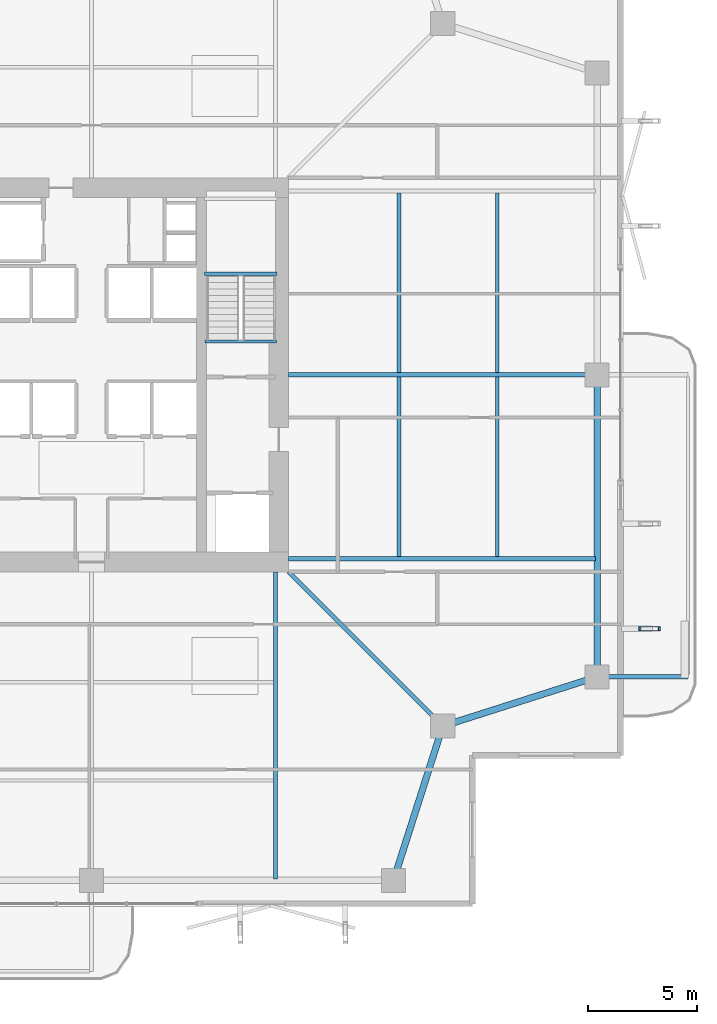
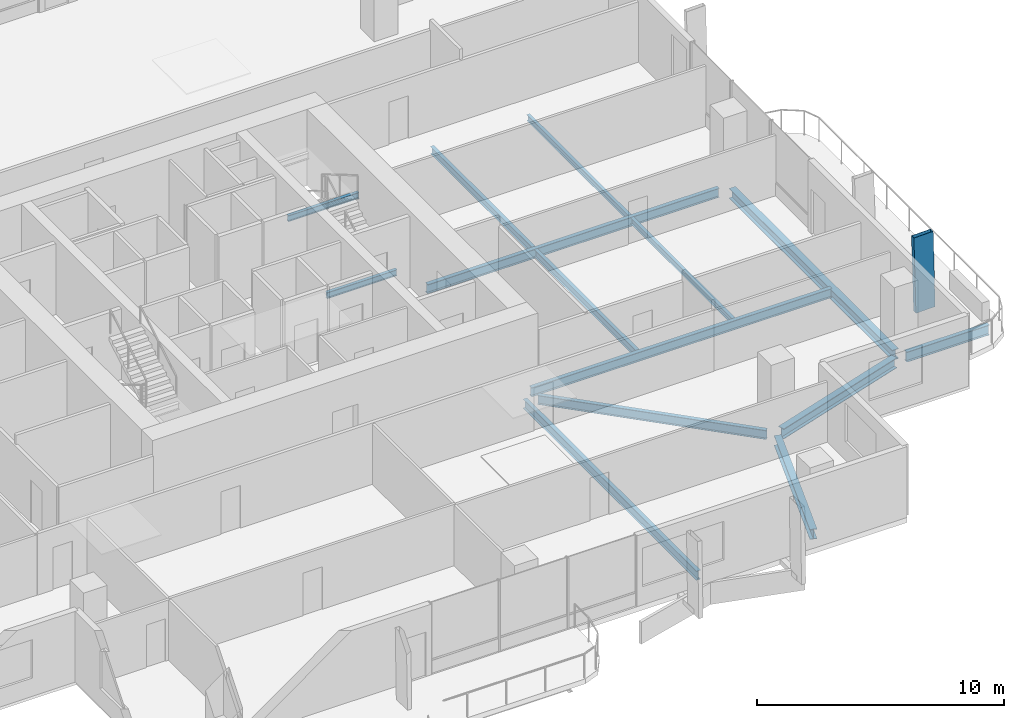
# One storey, part 9 of 25: 14 beams, 1 member.
"""IFC4 building model written with IfcOpenShell, lengths in metres."""

import ifcopenshell
import ifcopenshell.guid

model = None  # the IFC model being written
_history = None  # IfcOwnerHistory: only IFC2X3 demands one
_inside = {}  # id of a spatial element -> (the spatial element, [elements in it])
_under = {}  # id of a project, library or spatial element -> (it, [spatial elements below it])
_declared = {}  # id of a project -> (the project, [libraries it declares])
_typed = {}  # id of a type object -> (the type object, [elements of that type])
_made_of = {}  # id of a material, layer set ... -> (it, [elements and type objects made of it])


def new_model(schema):
    """Start an empty IFC model of exactly this schema.

    Asked for "IFC4X3", IfcOpenShell would pick the latest addendum, in which some entities
    have other attributes; the version numbers below select the first issue.
    IFC2X3 requires an IfcOwnerHistory on every rooted entity: one is made here for all.
    """
    global model, _history
    if schema == "IFC4X3":
        model = ifcopenshell.file(schema_version=(4, 3, 0, 0))
    else:
        model = ifcopenshell.file(schema=schema)
    _inside.clear()
    _under.clear()
    _declared.clear()
    _typed.clear()
    _made_of.clear()
    _history = None
    if model.schema == "IFC2X3":
        org = make("IfcOrganization", Name="unknown")
        user = make(
            "IfcPersonAndOrganization",
            ThePerson=make("IfcPerson", FamilyName="unknown"),
            TheOrganization=org,
        )
        app = make(
            "IfcApplication",
            ApplicationDeveloper=org,
            Version="unknown",
            ApplicationFullName="unknown",
            ApplicationIdentifier="unknown",
        )
        _history = make(
            "IfcOwnerHistory",
            OwningUser=user,
            OwningApplication=app,
            ChangeAction="ADDED",
            CreationDate=0,
        )
    return model


def make(cls, **values):
    """One entity of the class cls with the attributes given. An attribute that is None is left unset."""
    return model.create_entity(
        cls, **{name: value for name, value in values.items() if value is not None}
    )


def rooted(cls, **values):
    """An entity with a GlobalId (a new one), such as an element, a storey or a relation."""
    return make(cls, GlobalId=ifcopenshell.guid.new(), OwnerHistory=_history, **values)


def si_unit(unit_type, name, prefix=None):
    """IfcSIUnit, for example si_unit("LENGTHUNIT", "METRE", prefix="MILLI")."""
    return make("IfcSIUnit", UnitType=unit_type, Prefix=prefix, Name=name)


def assignment(units):
    """IfcUnitAssignment: the units of a project."""
    return None if units is None else make("IfcUnitAssignment", Units=units)


def point(xyz):
    """IfcCartesianPoint."""
    return None if xyz is None else make("IfcCartesianPoint", Coordinates=xyz)


def direction(xyz):
    """IfcDirection."""
    return None if xyz is None else make("IfcDirection", DirectionRatios=xyz)


def frame(location, z_axis=None, x_axis=None):
    """IfcAxis2Placement3D, a coordinate frame: its origin and axes. An axis left out is left unset."""
    return make(
        "IfcAxis2Placement3D",
        Location=point(location),
        Axis=direction(z_axis),
        RefDirection=direction(x_axis),
    )


def frame_2d(location, x_axis=None):
    """IfcAxis2Placement2D, a coordinate frame in the plane: its origin and x axis."""
    return make(
        "IfcAxis2Placement2D", Location=point(location), RefDirection=direction(x_axis)
    )


def origin():
    """The frame at (0, 0, 0) with its axes left unset."""
    return frame((0.0, 0.0, 0.0))


def origin_2d():
    """The frame at (0, 0) in the plane with its x axis left unset."""
    return frame_2d((0.0, 0.0))


def place(relative_to, where):
    """IfcLocalPlacement: puts the frame where relative to a parent placement (None: the world)."""
    return make(
        "IfcLocalPlacement", PlacementRelTo=relative_to, RelativePlacement=where
    )


def context(
    kind, dimensions, precision=None, world=None, true_north=None, identifier=None
):
    """IfcGeometricRepresentationContext, for example the 3D "Model" context."""
    return make(
        "IfcGeometricRepresentationContext",
        ContextIdentifier=identifier,
        ContextType=kind,
        CoordinateSpaceDimension=dimensions,
        Precision=precision,
        WorldCoordinateSystem=world,
        TrueNorth=true_north,
    )


def subcontext(parent, identifier, kind, view, scale=None):
    """IfcGeometricRepresentationSubContext, for example "Body" below "Model"."""
    return make(
        "IfcGeometricRepresentationSubContext",
        ContextIdentifier=identifier,
        ContextType=kind,
        ParentContext=parent,
        TargetScale=scale,
        TargetView=view,
    )


def project(units=None, contexts=None):
    """IfcProject with its units and contexts."""
    return rooted(
        "IfcProject",
        Name="project",
        RepresentationContexts=contexts,
        UnitsInContext=assignment(units),
    )


def spatial(cls, under=None, at=None, **own):
    """A site, building, storey or space (cls), placed at a placement, below another one or the project."""
    s = rooted(cls, ObjectPlacement=at, **own)
    if under is not None:
        _under.setdefault(under.id(), (under, []))[1].append(s)
    return s


def profile(cls, at=None, kind="AREA", **sizes):
    """A parametric profile (cls). Its sizes go by their IFC names, for example OverallWidth=200.0."""
    return make(cls, ProfileType=kind, Position=at, **sizes)


def hollow_rectangle(**sizes):
    """IfcRectangleHollowProfileDef."""
    return profile("IfcRectangleHollowProfileDef", **sizes)


def i_section(**sizes):
    """IfcIShapeProfileDef."""
    return profile("IfcIShapeProfileDef", **sizes)


def extrude(swept, where, along, depth):
    """IfcExtrudedAreaSolid: the profile swept, set in the frame where, extruded along a direction by depth."""
    return make(
        "IfcExtrudedAreaSolid",
        SweptArea=swept,
        Position=where,
        ExtrudedDirection=direction(along),
        Depth=depth,
    )


def shape(context_of_items, identifier, shape_type, items):
    """IfcShapeRepresentation: the items that make up one representation, for example the "Body"."""
    return make(
        "IfcShapeRepresentation",
        ContextOfItems=context_of_items,
        RepresentationIdentifier=identifier,
        RepresentationType=shape_type,
        Items=items,
    )


def material(Name=None, Category=None):
    """IfcMaterial."""
    return make("IfcMaterial", Name=Name, Category=Category)


def material_profile(
    of_material, cross_section, Name=None, Category=None, Priority=None
):
    """IfcMaterialProfile: a cross section and its material."""
    return make(
        "IfcMaterialProfile",
        Name=Name,
        Material=of_material,
        Profile=cross_section,
        Priority=Priority,
        Category=Category,
    )


def profile_set(profiles, Name=None, composite=None):
    """IfcMaterialProfileSet."""
    return make(
        "IfcMaterialProfileSet",
        Name=Name,
        MaterialProfiles=profiles,
        CompositeProfile=composite,
    )


def made_of(thing, what):
    """Note that an element or type object is made of a material, layer set ...; save() writes the relation."""
    if what is not None:
        _made_of.setdefault(what.id(), (what, []))[1].append(thing)
    return thing


def type_object(cls, material=None, **own):
    """A type object (cls), such as IfcWallType, which elements share."""
    return made_of(rooted(cls, **own), material)


def element(
    cls,
    number,
    at=None,
    inside=None,
    cuts=None,
    type_object=None,
    material=None,
    context=None,
    identifier="Body",
    shape_type=None,
    held_by="IfcProductDefinitionShape",
    body=None,
    shapes=None,
    **own,
):
    """One element of the class cls, such as IfcWall. Its Tag is "e" and its number.

    at: its placement. inside: the storey or other place that contains it. cuts: it is an
    opening in that element (IfcRelVoidsElement). A single representation is given by context,
    identifier, shape_type and body (its items); several are given by shapes. held_by: the class
    of the entity that holds the representations. save() writes the other relations.
    """
    e = rooted(cls, Tag="e%d" % number, ObjectPlacement=at, **own)
    if body is not None:
        shapes = [shape(context, identifier, shape_type, body)]
    if shapes is not None:
        e.Representation = make(held_by, Representations=shapes)
    if inside is not None:
        _inside.setdefault(inside.id(), (inside, []))[1].append(e)
    if cuts is not None:
        rooted(
            "IfcRelVoidsElement", RelatingBuildingElement=cuts, RelatedOpeningElement=e
        )
    if type_object is not None:
        _typed.setdefault(type_object.id(), (type_object, []))[1].append(e)
    return made_of(e, material)


def aggregate(whole, parts):
    """IfcRelAggregates: a whole, such as a stair, and the parts it consists of."""
    return rooted("IfcRelAggregates", RelatingObject=whole, RelatedObjects=parts)


def save(model, path):
    """Write the relations noted so far, then the file.

    IfcRelAggregates (storeys below a building ...), IfcRelContainedInSpatialStructure (elements
    in a storey), IfcRelDefinesByType, IfcRelAssociatesMaterial and IfcRelDeclares: one each for
    every whole, place, type object, material and project.
    """
    for whole, parts in _under.values():
        aggregate(whole, parts)
    for where, things in _inside.values():
        rooted(
            "IfcRelContainedInSpatialStructure",
            RelatedElements=things,
            RelatingStructure=where,
        )
    for kind, things in _typed.values():
        rooted("IfcRelDefinesByType", RelatedObjects=things, RelatingType=kind)
    for what, things in _made_of.values():
        rooted("IfcRelAssociatesMaterial", RelatedObjects=things, RelatingMaterial=what)
    for by, libraries in _declared.values():
        rooted("IfcRelDeclares", RelatingContext=by, RelatedDefinitions=libraries)
    model.write(path)


model = new_model("IFC4")

# Units and contexts
model_context = context("Model", 3, precision=1e-05, world=origin(), true_north=direction((0.0, 1.0)))
body_context = subcontext(model_context, "Body", "Model", "MODEL_VIEW")
ifc_project = project(units=[si_unit("LENGTHUNIT", "METRE"), si_unit("AREAUNIT", "SQUARE_METRE"), si_unit("VOLUMEUNIT", "CUBIC_METRE"), si_unit("PLANEANGLEUNIT", "RADIAN"), si_unit("MASSUNIT", "GRAM", prefix="KILO")], contexts=[model_context])

# Site, building, storey
site_placement = place(None, origin())
site = spatial("IfcSite", under=ifc_project, at=site_placement, CompositionType="ELEMENT")
building_placement = place(site_placement, origin())
building = spatial("IfcBuilding", under=site, at=building_placement, Name="Belovzor Exchange Tower", CompositionType="ELEMENT")
storey_placement = place(building_placement, frame((0.0, 0.0, 160.800048828125)))
storey = spatial("IfcBuildingStorey", under=building, at=storey_placement, Name="L39", CompositionType="ELEMENT", Elevation=160.800048828125)

# Beams
ifc_material_1 = material(Name="Steel S355", Category="steel")
ifc_material_profile_1 = material_profile(ifc_material_1, i_section(OverallWidth=0.199951171875, OverallDepth=0.5, WebThickness=0.01025390625, FlangeThickness=0.01611328125, at=origin_2d()))
ifc_profile_set_1 = profile_set([ifc_material_profile_1], Name="Steel S355")
beam_type_1 = type_object("IfcBeamType", Name="Planted Balcony Cantilever Beam IPE 500", PredefinedType="BEAM", material=ifc_profile_set_1)
beam_1_placement = place(storey_placement, frame((52.202880859375, 15.0, -0.505126953125), z_axis=(1.0, 0.0, 0.0), x_axis=(0.0, 1.0, 0.0)))
element("IfcBeam", 1, at=beam_1_placement, inside=storey, type_object=beam_type_1, Name="BC-500 Planted Balcony Cantilever Beam IPE 500", PredefinedType="BEAM", context=body_context, shape_type="SweptSolid", body=[
    extrude(i_section(OverallWidth=0.199951171875, OverallDepth=0.5, WebThickness=0.01025390625, FlangeThickness=0.01611328125, at=origin_2d()), origin(), (0.0, 0.0, 1.0), 3.85009765625),
])
ifc_material_2 = material(Name="Steel S355", Category="steel")
ifc_material_profile_2 = material_profile(ifc_material_2, i_section(OverallWidth=0.169921875, OverallDepth=0.360107421875, WebThickness=0.008056640625, FlangeThickness=0.0126953125, at=origin_2d()))
ifc_profile_set_2 = profile_set([ifc_material_profile_2], Name="Steel S355")
beam_type_2 = type_object("IfcBeamType", Name="Secondary Infill Floor Joist IPE 360", PredefinedType="BEAM", material=ifc_profile_set_2)
for number, where, z_axis, x_axis, name in (
    (2, (42.84912109375, 20.4951171875, -0.43505859375), (0.0, 1.0, 0.0), (-1.0, 0.0, 0.0), "FJ-360 Secondary Infill Floor Joist IPE 360"),
    (3, (42.84912109375, 28.89501953125, -0.43505859375), (0.0, 1.0, 0.0), (-1.0, 0.0, 0.0), "FJ-360 Secondary Infill Floor Joist IPE 360"),
):
    element("IfcBeam", number, at=place(storey_placement, frame(where, z_axis=z_axis, x_axis=x_axis)), inside=storey, type_object=beam_type_2, Name=name, PredefinedType="BEAM", context=body_context, shape_type="SweptSolid", body=[
        extrude(i_section(OverallWidth=0.169921875, OverallDepth=0.360107421875, WebThickness=0.008056640625, FlangeThickness=0.0126953125, at=origin_2d()), origin(), (0.0, 0.0, 1.0), 8.2099609375),
    ])
ifc_material_3 = material(Name="Steel S355", Category="steel")
ifc_material_profile_3 = material_profile(ifc_material_3, i_section(OverallWidth=0.14990234375, OverallDepth=0.300048828125, WebThickness=0.007080078125, FlangeThickness=0.0107421875, at=origin_2d()))
ifc_profile_set_3 = profile_set([ifc_material_profile_3], Name="Steel S355")
beam_type_3 = type_object("IfcBeamType", Name="Secondary Trim Floor Joist IPE 300", PredefinedType="BEAM", material=ifc_profile_set_3)
beam_2_placement = place(storey_placement, frame((37.280029296875, 33.419921875, 1.52490234375), z_axis=(-1.0, 0.0, 0.0), x_axis=(0.0, -1.0, 0.0)))
element("IfcBeam", 4, at=beam_2_placement, inside=storey, type_object=beam_type_3, Name="FJ-300 Secondary Trim Floor Joist IPE 300", PredefinedType="BEAM", context=body_context, shape_type="SweptSolid", body=[
    extrude(i_section(OverallWidth=0.14990234375, OverallDepth=0.300048828125, WebThickness=0.007080078125, FlangeThickness=0.0107421875, at=origin_2d()), origin(), (0.0, 0.0, 1.0), 3.31005859375),
])
beam_3_placement = place(storey_placement, frame((37.260009765625, 30.320068359375, -0.405029296875), z_axis=(-1.0, 0.0, 0.0), x_axis=(0.0, -1.0, 0.0)))
element("IfcBeam", 5, at=beam_3_placement, inside=storey, type_object=beam_type_3, Name="FJ-300 Secondary Trim Floor Joist IPE 300", PredefinedType="BEAM", context=body_context, shape_type="SweptSolid", body=[
    extrude(i_section(OverallWidth=0.14990234375, OverallDepth=0.300048828125, WebThickness=0.007080078125, FlangeThickness=0.0107421875, at=origin_2d()), origin(), (0.0, 0.0, 1.0), 3.27001953125),
])
for number, where, z_axis, x_axis, name in (
    (6, (47.3369140625, 20.4951171875, -0.405029296875), (0.0, 1.0, 0.0), (-1.0, 0.0, 0.0), "FJ-300 Secondary Trim Floor Joist IPE 300"),
    (7, (47.3369140625, 28.89501953125, -0.405029296875), (0.0, 1.0, 0.0), (-1.0, 0.0, 0.0), "FJ-300 Secondary Trim Floor Joist IPE 300"),
):
    element("IfcBeam", number, at=place(storey_placement, frame(where, z_axis=z_axis, x_axis=x_axis)), inside=storey, type_object=beam_type_3, Name=name, PredefinedType="BEAM", context=body_context, shape_type="SweptSolid", body=[
        extrude(i_section(OverallWidth=0.14990234375, OverallDepth=0.300048828125, WebThickness=0.007080078125, FlangeThickness=0.0107421875, at=origin_2d()), origin(), (0.0, 0.0, 1.0), 8.2099609375),
    ])

# Member
ifc_material_4 = material(Name="Extruded Architectural Terracotta on Steel S355 Carrier", Category="masonry")
ifc_material_profile_4 = material_profile(ifc_material_4, hollow_rectangle(XDim=0.199951171875, YDim=0.89990234375, WallThickness=0.011962890625, at=origin_2d()))
ifc_profile_set_4 = profile_set([ifc_material_profile_4], Name="Extruded Architectural Terracotta on Steel S355 Carrier")
member_type = type_object("IfcMemberType", Name="Sweeping Terracotta Baguette Fin Assembly 1250", PredefinedType="USERDEFINED", material=ifc_profile_set_4)
member_placement = place(storey_placement, frame((54.341064453125, 17.199951171875, -0.255126953125), z_axis=(-0.025057234181, 0.0, 0.999686018215), x_axis=(0.0, -1.0, 0.0)))
element("IfcMember", 8, at=member_placement, inside=storey, type_object=member_type, Name="FIN-TC125 Terracotta Facade Fin L39 E1", ObjectType="FIN", PredefinedType="USERDEFINED", context=body_context, shape_type="SweptSolid", body=[
    extrude(hollow_rectangle(XDim=0.199951171875, YDim=0.89990234375, WallThickness=0.011962890625, at=origin_2d()), origin(), (0.0, 0.0, 1.0), 3.751220703125),
])

# Beams
ifc_material_5 = material(Name="Steel S355", Category="steel")
ifc_material_profile_5 = material_profile(ifc_material_5, i_section(OverallWidth=0.18994140625, OverallDepth=0.449951171875, WebThickness=0.009521484375, FlangeThickness=0.0146484375, at=origin_2d()))
ifc_profile_set_5 = profile_set([ifc_material_profile_5], Name="Steel S355")
beam_type_4 = type_object("IfcBeamType", Name="Zone 2-4 Radial Composite Floor Beam IPE 450", PredefinedType="BEAM", material=ifc_profile_set_5)
beam_4_placement = place(storey_placement, frame((37.199951171875, 19.800048828125, -0.47998046875), z_axis=(0.0, -1.0, 0.0), x_axis=(1.0, 0.0, 0.0)))
element("IfcBeam", 9, at=beam_4_placement, inside=storey, type_object=beam_type_4, Name="FB-450 Zone 2-4 Radial Composite Floor Beam IPE 450", PredefinedType="BEAM", context=body_context, shape_type="SweptSolid", body=[
    extrude(i_section(OverallWidth=0.18994140625, OverallDepth=0.449951171875, WebThickness=0.009521484375, FlangeThickness=0.0146484375, at=origin_2d()), origin(), (0.0, 0.0, 1.0), 14.025146484375),
])
beam_5_placement = place(storey_placement, frame((37.800048828125, 20.39990234375, -0.47998046875), z_axis=(1.0, 0.0, 0.0), x_axis=(0.0, 1.0, 0.0)))
element("IfcBeam", 10, at=beam_5_placement, inside=storey, type_object=beam_type_4, Name="FB-450 Zone 2-4 Radial Composite Floor Beam IPE 450", PredefinedType="BEAM", context=body_context, shape_type="SweptSolid", body=[
    extrude(i_section(OverallWidth=0.18994140625, OverallDepth=0.449951171875, WebThickness=0.009521484375, FlangeThickness=0.0146484375, at=origin_2d()), origin(), (0.0, 0.0, 1.0), 14.02490234375),
])
beam_6_placement = place(storey_placement, frame((37.800048828125, 28.800048828125, -0.47998046875), z_axis=(1.0, 0.0, 0.0), x_axis=(0.0, 1.0, 0.0)))
element("IfcBeam", 11, at=beam_6_placement, inside=storey, type_object=beam_type_4, Name="FB-450 Zone 2-4 Radial Composite Floor Beam IPE 450", PredefinedType="BEAM", context=body_context, shape_type="SweptSolid", body=[
    extrude(i_section(OverallWidth=0.18994140625, OverallDepth=0.449951171875, WebThickness=0.009521484375, FlangeThickness=0.0146484375, at=origin_2d()), origin(), (0.0, 0.0, 1.0), 13.615966796875),
])
beam_7_placement = place(storey_placement, frame((37.800048828125, 19.800048828125, -0.47998046875), z_axis=(0.707094040639, -0.707119521505, 0.0), x_axis=(0.707119521505, 0.707094040639, 0.0)))
element("IfcBeam", 12, at=beam_7_placement, inside=storey, type_object=beam_type_4, Name="FB-450 Zone 2-4 Radial Composite Floor Beam IPE 450", PredefinedType="BEAM", context=body_context, shape_type="SweptSolid", body=[
    extrude(i_section(OverallWidth=0.18994140625, OverallDepth=0.449951171875, WebThickness=0.009521484375, FlangeThickness=0.0146484375, at=origin_2d()), origin(), (0.0, 0.0, 1.0), 9.581298828125),
])
ifc_material_6 = material(Name="Steel S355", Category="steel")
ifc_material_profile_6 = material_profile(ifc_material_6, i_section(OverallWidth=0.300048828125, OverallDepth=0.5, WebThickness=0.014404296875, FlangeThickness=0.028076171875, at=origin_2d()))
ifc_profile_set_6 = profile_set([ifc_material_profile_6], Name="Steel S355")
beam_type_5 = type_object("IfcBeamType", Name="Zone 3 Waist Primary Girder HEB 500", PredefinedType="BEAM", material=ifc_profile_set_6)
for number, where, z_axis, x_axis, name in (
    (13, (42.69189453125, 5.988037109375, -0.505126953125), (0.304044336164, 0.952657882792, 0.0), (-0.952657882792, 0.304044336164, 0.0), "FG-Z3 Zone 3 Waist Primary Girder HEB 500"),
    (14, (45.137939453125, 12.842041015625, -0.505126953125), (0.952671608699, 0.304001325621, 0.0), (-0.304001325621, 0.952671608699, 0.0), "FG-Z3 Zone 3 Waist Primary Girder HEB 500"),
):
    element("IfcBeam", number, at=place(storey_placement, frame(where, z_axis=z_axis, x_axis=x_axis)), inside=storey, type_object=beam_type_5, Name=name, PredefinedType="BEAM", context=body_context, shape_type="SweptSolid", body=[
        extrude(i_section(OverallWidth=0.300048828125, OverallDepth=0.5, WebThickness=0.014404296875, FlangeThickness=0.028076171875, at=origin_2d()), origin(), (0.0, 0.0, 1.0), 6.795654296875),
    ])
beam_8_placement = place(storey_placement, frame((51.89990234375, 15.302978515625, -0.505126953125), z_axis=(0.0, 1.0, 0.0), x_axis=(-1.0, 0.0, 0.0)))
element("IfcBeam", 15, at=beam_8_placement, inside=storey, type_object=beam_type_5, Name="FG-Z3 Zone 3 Waist Primary Girder HEB 500", PredefinedType="BEAM", context=body_context, shape_type="SweptSolid", body=[
    extrude(i_section(OverallWidth=0.300048828125, OverallDepth=0.5, WebThickness=0.014404296875, FlangeThickness=0.028076171875, at=origin_2d()), origin(), (0.0, 0.0, 1.0), 13.195068359375),
])

save(model, "model.ifc")
